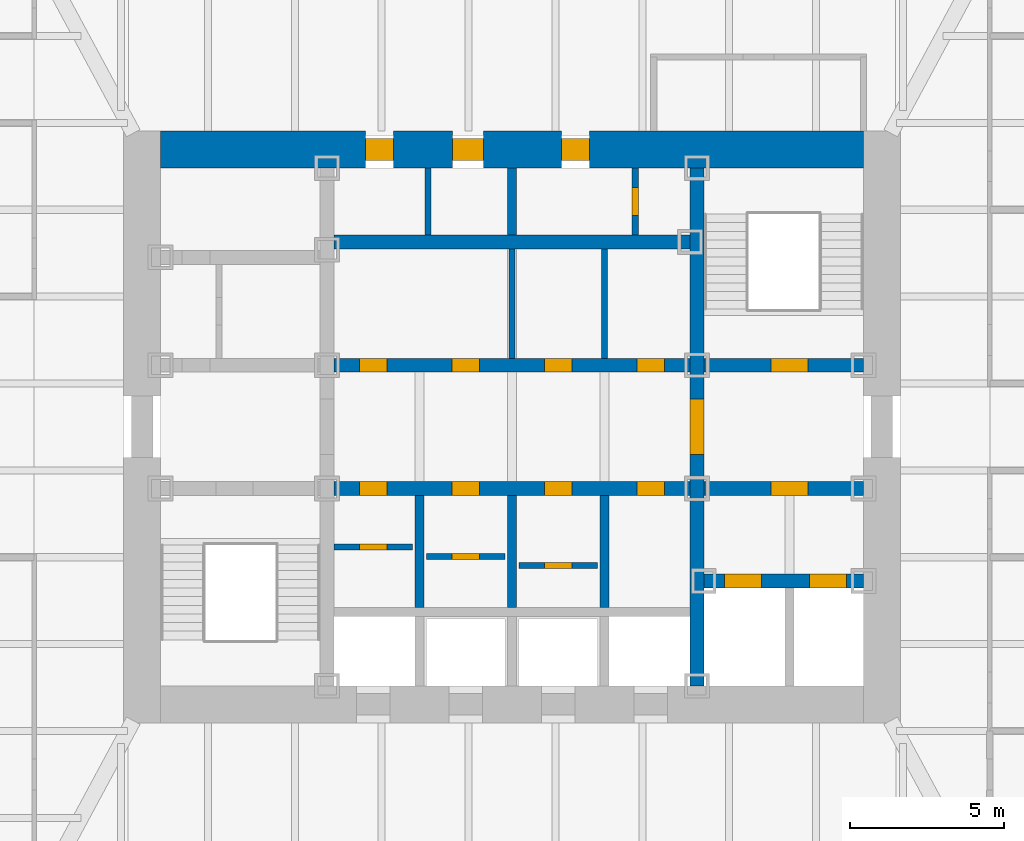
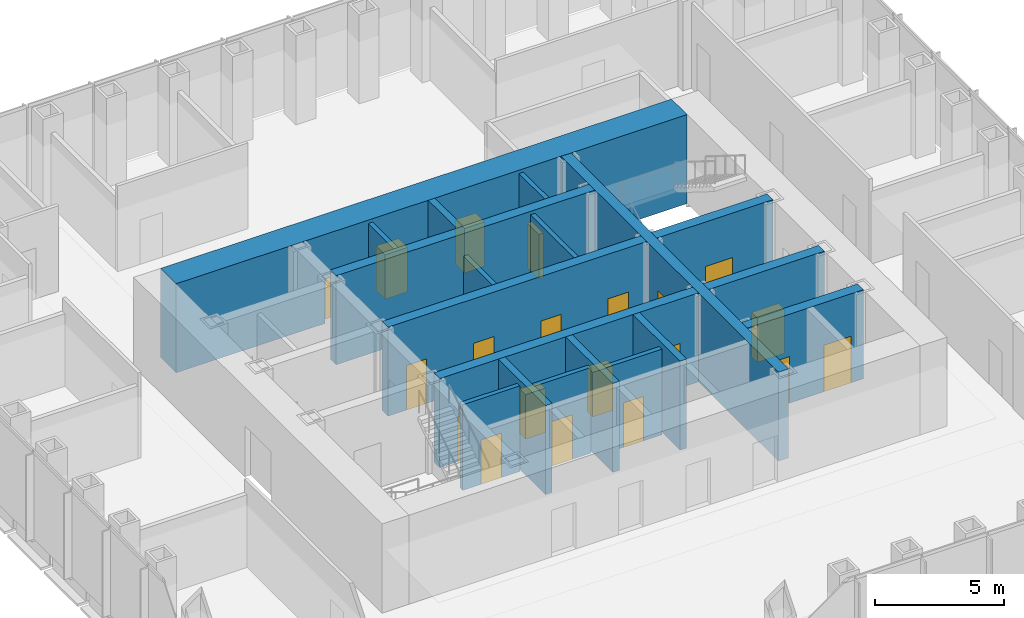
# One storey, part 9 of 16: 20 doors, 19 walls, 20 openings.
"""IFC4 building model written with IfcOpenShell, lengths in metres."""

from ifc_helpers import new_model, si_unit, direction, frame, frame_2d, origin, place, context, subcontext, project, spatial, rectangle, extrude, material, layer, layer_set, type_object, element, fill, save


model = new_model("IFC4")

# Units and contexts
model_context = context("Model", 3, precision=1e-05, world=origin(), true_north=direction((0.0, 1.0)))
body_context = subcontext(model_context, "Body", "Model", "MODEL_VIEW")
ifc_project = project(units=[si_unit("LENGTHUNIT", "METRE"), si_unit("AREAUNIT", "SQUARE_METRE"), si_unit("VOLUMEUNIT", "CUBIC_METRE"), si_unit("PLANEANGLEUNIT", "RADIAN"), si_unit("MASSUNIT", "GRAM", prefix="KILO")], contexts=[model_context])

# Site, building, storey
site_placement = place(None, origin())
site = spatial("IfcSite", under=ifc_project, at=site_placement, CompositionType="ELEMENT")
building_placement = place(site_placement, origin())
building = spatial("IfcBuilding", under=site, at=building_placement, Name="Daluyong Arena Tower", CompositionType="ELEMENT")
storey_placement = place(building_placement, frame((0.0, 0.0, 206.5)))
storey = spatial("IfcBuildingStorey", under=building, at=storey_placement, Name="L46", CompositionType="ELEMENT", Elevation=206.5)

# Wall, opening, door
ifc_material_1 = material(Name="Concrete fc' 45 MPa", Category="concrete")
ifc_layer_1 = layer(ifc_material_1, 0.449951171875)
ifc_layer_set_1 = layer_set([ifc_layer_1], Name="Concrete fc' 45 MPa")
wall_type_1 = type_object("IfcWallType", Name="Core inner wall 450", PredefinedType="SHEAR", material=ifc_layer_set_1)
wall_1_placement = place(storey_placement, frame((62.0, 71.60009765625, 0.0), z_axis=(0.0, 0.0, 1.0), x_axis=(0.0, 1.0, 0.0)))
wall_1 = element("IfcWall", 1, at=wall_1_placement, inside=storey, type_object=wall_type_1, Name="core inner wall at L46", PredefinedType="SHEAR", context=body_context, shape_type="SweptSolid", body=[
    extrude(rectangle(XDim=16.7998046875, YDim=0.449951171875, at=frame_2d((8.39990234375, 0.0))), origin(), (0.0, 0.0, 1.0), 4.199951171875),
])
opening_1_placement = place(wall_1_placement, frame((7.5, 0.0, 0.0)))
opening_1 = element("IfcOpeningElement", 2, at=opening_1_placement, cuts=wall_1, Name="Opening 46024", PredefinedType="OPENING", context=body_context, shape_type="SweptSolid", body=[
    extrude(rectangle(XDim=1.800048828125, YDim=2.39990234375, at=frame_2d((0.89990234375, 1.199951171875))), frame((0.0, 0.23486328125, 0.0), z_axis=(0.0, -1.0, 0.0), x_axis=(1.0, 0.0, 0.0)), (0.0, 0.0, 1.0), 0.469970703125),
])
ifc_material_2 = material(Name="Steel door, fire rated", Category="steel")
door_type_1 = type_object("IfcDoorType", Name="Lift lobby opening door 1800", OperationType="DOUBLE_DOOR_SINGLE_SWING", PredefinedType="DOOR", material=ifc_material_2)
door_1_placement = place(opening_1_placement, origin())
door_1 = element("IfcDoor", 3, at=door_1_placement, inside=storey, type_object=door_type_1, Name="lift lobby door east 46024", OperationType="DOUBLE_DOOR_SINGLE_SWING", OverallHeight=2.39990234375, OverallWidth=1.800048828125, PredefinedType="DOOR", context=body_context, shape_type="SweptSolid", body=[
    extrude(rectangle(XDim=1.800048828125, YDim=2.39990234375, at=frame_2d((0.89990234375, 1.199951171875))), frame((0.0, 0.224609375, 0.0), z_axis=(0.0, -1.0, 0.0), x_axis=(1.0, 0.0, 0.0)), (0.0, 0.0, 1.0), 0.449462890625),
])
fill(opening_1, door_1)

# Wall, openings, doors
wall_2_placement = place(storey_placement, frame((62.22509765625, 75.0, 0.0), z_axis=(0.0, 0.0, 1.0), x_axis=(1.0, 0.0, 0.0)))
wall_2 = element("IfcWall", 4, at=wall_2_placement, inside=storey, type_object=wall_type_1, Name="core inner wall at L46", PredefinedType="SHEAR", context=body_context, shape_type="SweptSolid", body=[
    extrude(rectangle(XDim=5.1748046875, YDim=0.449951171875, at=frame_2d((2.58740234375, 0.0))), origin(), (0.0, 0.0, 1.0), 4.199951171875),
])
opening_2_placement = place(wall_2_placement, frame((0.675048828125, 0.0, 0.0)))
opening_2 = element("IfcOpeningElement", 5, at=opening_2_placement, cuts=wall_2, Name="Opening 46030", PredefinedType="OPENING", context=body_context, shape_type="SweptSolid", body=[
    extrude(rectangle(XDim=1.199951171875, YDim=2.199951171875, at=frame_2d((0.60009765625, 1.10009765625))), frame((0.0, 0.23486328125, 0.0), z_axis=(0.0, -1.0, 0.0), x_axis=(1.0, 0.0, 0.0)), (0.0, 0.0, 1.0), 0.469970703125),
])
opening_3_placement = place(wall_2_placement, frame((3.425048828125, 0.0, 0.0)))
opening_3 = element("IfcOpeningElement", 6, at=opening_3_placement, cuts=wall_2, Name="Opening 46031", PredefinedType="OPENING", context=body_context, shape_type="SweptSolid", body=[
    extrude(rectangle(XDim=1.199951171875, YDim=2.199951171875, at=frame_2d((0.60009765625, 1.10009765625))), frame((0.0, 0.23486328125, 0.0), z_axis=(0.0, -1.0, 0.0), x_axis=(1.0, 0.0, 0.0)), (0.0, 0.0, 1.0), 0.469970703125),
])
ifc_material_3 = material(Name="Steel door, fire rated", Category="steel")
door_type_2 = type_object("IfcDoorType", Name="Firefighting lift landing door 1200", OperationType="SLIDING_TO_LEFT", PredefinedType="DOOR", material=ifc_material_3)
door_2_placement = place(opening_2_placement, origin())
door_2 = element("IfcDoor", 7, at=door_2_placement, inside=storey, type_object=door_type_2, Name="firefighting lift landing door F1 46030", OperationType="SLIDING_TO_LEFT", OverallHeight=2.199951171875, OverallWidth=1.199951171875, PredefinedType="DOOR", context=body_context, shape_type="SweptSolid", body=[
    extrude(rectangle(XDim=1.199951171875, YDim=2.199951171875, at=frame_2d((0.60009765625, 1.10009765625))), frame((0.0, 0.224609375, 0.0), z_axis=(0.0, -1.0, 0.0), x_axis=(1.0, 0.0, 0.0)), (0.0, 0.0, 1.0), 0.449462890625),
])
fill(opening_2, door_2)
door_3_placement = place(opening_3_placement, origin())
door_3 = element("IfcDoor", 8, at=door_3_placement, inside=storey, type_object=door_type_2, Name="firefighting lift landing door F2 46031", OperationType="SLIDING_TO_LEFT", OverallHeight=2.199951171875, OverallWidth=1.199951171875, PredefinedType="DOOR", context=body_context, shape_type="SweptSolid", body=[
    extrude(rectangle(XDim=1.199951171875, YDim=2.199951171875, at=frame_2d((0.60009765625, 1.10009765625))), frame((0.0, 0.224609375, 0.0), z_axis=(0.0, -1.0, 0.0), x_axis=(1.0, 0.0, 0.0)), (0.0, 0.0, 1.0), 0.449462890625),
])
fill(opening_3, door_3)

# Wall, opening, door
wall_3_placement = place(storey_placement, frame((62.22509765625, 78.0, 0.0), z_axis=(0.0, 0.0, 1.0), x_axis=(1.0, 0.0, 0.0)))
wall_3 = element("IfcWall", 9, at=wall_3_placement, inside=storey, type_object=wall_type_1, Name="core inner wall at L46", PredefinedType="SHEAR", context=body_context, shape_type="SweptSolid", body=[
    extrude(rectangle(XDim=5.1748046875, YDim=0.449951171875, at=frame_2d((2.58740234375, 0.0))), origin(), (0.0, 0.0, 1.0), 4.199951171875),
])
opening_4_placement = place(wall_3_placement, frame((2.175048828125, 0.0, 0.0)))
opening_4 = element("IfcOpeningElement", 10, at=opening_4_placement, cuts=wall_3, Name="Opening 46025", PredefinedType="OPENING", context=body_context, shape_type="SweptSolid", body=[
    extrude(rectangle(XDim=1.199951171875, YDim=2.10009765625, at=frame_2d((0.60009765625, 1.050048828125))), frame((0.0, 0.23486328125, 0.0), z_axis=(0.0, -1.0, 0.0), x_axis=(1.0, 0.0, 0.0)), (0.0, 0.0, 1.0), 0.469970703125),
])
ifc_material_4 = material(Name="Steel door, fire rated", Category="steel")
door_type_3 = type_object("IfcDoorType", Name="Firefighting lobby door 1200", OperationType="SINGLE_SWING_RIGHT", PredefinedType="DOOR", material=ifc_material_4)
door_4_placement = place(opening_4_placement, origin())
door_4 = element("IfcDoor", 11, at=door_4_placement, inside=storey, type_object=door_type_3, Name="firefighting lobby door 46025", OperationType="SINGLE_SWING_RIGHT", OverallHeight=2.10009765625, OverallWidth=1.199951171875, PredefinedType="DOOR", context=body_context, shape_type="SweptSolid", body=[
    extrude(rectangle(XDim=1.199951171875, YDim=2.10009765625, at=frame_2d((0.60009765625, 1.050048828125))), frame((0.0, 0.224609375, 0.0), z_axis=(0.0, -1.0, 0.0), x_axis=(1.0, 0.0, 0.0)), (0.0, 0.0, 1.0), 0.449462890625),
])
fill(opening_4, door_4)

wall_4_placement = place(storey_placement, frame((62.22509765625, 82.0, 0.0), z_axis=(0.0, 0.0, 1.0), x_axis=(1.0, 0.0, 0.0)))
wall_4 = element("IfcWall", 12, at=wall_4_placement, inside=storey, type_object=wall_type_1, Name="core inner wall at L46", PredefinedType="SHEAR", context=body_context, shape_type="SweptSolid", body=[
    extrude(rectangle(XDim=5.1748046875, YDim=0.449951171875, at=frame_2d((2.58740234375, 0.0))), origin(), (0.0, 0.0, 1.0), 4.199951171875),
])
opening_5_placement = place(wall_4_placement, frame((2.175048828125, 0.0, 0.0)))
opening_5 = element("IfcOpeningElement", 13, at=opening_5_placement, cuts=wall_4, Name="Opening 46020", PredefinedType="OPENING", context=body_context, shape_type="SweptSolid", body=[
    extrude(rectangle(XDim=1.199951171875, YDim=2.10009765625, at=frame_2d((0.60009765625, 1.050048828125))), frame((0.0, 0.23486328125, 0.0), z_axis=(0.0, -1.0, 0.0), x_axis=(1.0, 0.0, 0.0)), (0.0, 0.0, 1.0), 0.469970703125),
])
ifc_material_5 = material(Name="Steel door, fire rated", Category="steel")
door_type_4 = type_object("IfcDoorType", Name="Stair door 1200", OperationType="SINGLE_SWING_LEFT", PredefinedType="DOOR", material=ifc_material_5)
door_5_placement = place(opening_5_placement, origin())
door_5 = element("IfcDoor", 14, at=door_5_placement, inside=storey, type_object=door_type_4, Name="stair B door 46020", OperationType="SINGLE_SWING_LEFT", OverallHeight=2.10009765625, OverallWidth=1.199951171875, PredefinedType="DOOR", context=body_context, shape_type="SweptSolid", body=[
    extrude(rectangle(XDim=1.199951171875, YDim=2.10009765625, at=frame_2d((0.60009765625, 1.050048828125))), frame((0.0, 0.224609375, 0.0), z_axis=(0.0, -1.0, 0.0), x_axis=(1.0, 0.0, 0.0)), (0.0, 0.0, 1.0), 0.449462890625),
])
fill(opening_5, door_5)

# Wall, openings, doors
wall_5_placement = place(storey_placement, frame((50.22509765625, 78.0, 0.0), z_axis=(0.0, 0.0, 1.0), x_axis=(1.0, 0.0, 0.0)))
wall_5 = element("IfcWall", 15, at=wall_5_placement, inside=storey, type_object=wall_type_1, Name="core inner wall at L46", PredefinedType="SHEAR", context=body_context, shape_type="SweptSolid", body=[
    extrude(rectangle(XDim=11.5498046875, YDim=0.449951171875, at=frame_2d((5.77490234375, 0.0))), origin(), (0.0, 0.0, 1.0), 4.199951171875),
])
opening_6_placement = place(wall_5_placement, frame((0.824951171875, 0.0, 0.0)))
opening_6 = element("IfcOpeningElement", 16, at=opening_6_placement, cuts=wall_5, Name="Opening 46008", PredefinedType="OPENING", context=body_context, shape_type="SweptSolid", body=[
    extrude(rectangle(XDim=0.89990234375, YDim=2.10009765625, at=frame_2d((0.449951171875, 1.050048828125))), frame((0.0, 0.23486328125, 0.0), z_axis=(0.0, -1.0, 0.0), x_axis=(1.0, 0.0, 0.0)), (0.0, 0.0, 1.0), 0.469970703125),
])
opening_7_placement = place(wall_5_placement, frame((3.824951171875, 0.0, 0.0)))
opening_7 = element("IfcOpeningElement", 17, at=opening_7_placement, cuts=wall_5, Name="Opening 46010", PredefinedType="OPENING", context=body_context, shape_type="SweptSolid", body=[
    extrude(rectangle(XDim=0.89990234375, YDim=2.10009765625, at=frame_2d((0.449951171875, 1.050048828125))), frame((0.0, 0.23486328125, 0.0), z_axis=(0.0, -1.0, 0.0), x_axis=(1.0, 0.0, 0.0)), (0.0, 0.0, 1.0), 0.469970703125),
])
opening_8_placement = place(wall_5_placement, frame((6.824951171875, 0.0, 0.0)))
opening_8 = element("IfcOpeningElement", 18, at=opening_8_placement, cuts=wall_5, Name="Opening 46012", PredefinedType="OPENING", context=body_context, shape_type="SweptSolid", body=[
    extrude(rectangle(XDim=0.89990234375, YDim=2.10009765625, at=frame_2d((0.449951171875, 1.050048828125))), frame((0.0, 0.23486328125, 0.0), z_axis=(0.0, -1.0, 0.0), x_axis=(1.0, 0.0, 0.0)), (0.0, 0.0, 1.0), 0.469970703125),
])
opening_9_placement = place(wall_5_placement, frame((9.824951171875, 0.0, 0.0)))
opening_9 = element("IfcOpeningElement", 19, at=opening_9_placement, cuts=wall_5, Name="Opening 46014", PredefinedType="OPENING", context=body_context, shape_type="SweptSolid", body=[
    extrude(rectangle(XDim=0.89990234375, YDim=2.10009765625, at=frame_2d((0.449951171875, 1.050048828125))), frame((0.0, 0.23486328125, 0.0), z_axis=(0.0, -1.0, 0.0), x_axis=(1.0, 0.0, 0.0)), (0.0, 0.0, 1.0), 0.469970703125),
])
ifc_material_6 = material(Name="Steel door, fire rated", Category="steel")
door_type_5 = type_object("IfcDoorType", Name="Core room door 900", OperationType="SINGLE_SWING_LEFT", PredefinedType="DOOR", material=ifc_material_6)
door_6_placement = place(opening_9_placement, origin())
door_6 = element("IfcDoor", 20, at=door_6_placement, inside=storey, type_object=door_type_5, Name="parcel room door 46014", OperationType="SINGLE_SWING_LEFT", OverallHeight=2.10009765625, OverallWidth=0.89990234375, PredefinedType="DOOR", context=body_context, shape_type="SweptSolid", body=[
    extrude(rectangle(XDim=0.89990234375, YDim=2.10009765625, at=frame_2d((0.449951171875, 1.050048828125))), frame((0.0, 0.224609375, 0.0), z_axis=(0.0, -1.0, 0.0), x_axis=(1.0, 0.0, 0.0)), (0.0, 0.0, 1.0), 0.449462890625),
])
fill(opening_9, door_6)
ifc_material_7 = material(Name="Steel door, fire rated", Category="steel")
door_type_6 = type_object("IfcDoorType", Name="Core store door 900", OperationType="SINGLE_SWING_LEFT", PredefinedType="DOOR", material=ifc_material_7)
door_7_placement = place(opening_6_placement, origin())
door_7 = element("IfcDoor", 21, at=door_7_placement, inside=storey, type_object=door_type_6, Name="stationery store door 46008", OperationType="SINGLE_SWING_LEFT", OverallHeight=2.10009765625, OverallWidth=0.89990234375, PredefinedType="DOOR", context=body_context, shape_type="SweptSolid", body=[
    extrude(rectangle(XDim=0.89990234375, YDim=2.10009765625, at=frame_2d((0.449951171875, 1.050048828125))), frame((0.0, 0.224609375, 0.0), z_axis=(0.0, -1.0, 0.0), x_axis=(1.0, 0.0, 0.0)), (0.0, 0.0, 1.0), 0.449462890625),
])
fill(opening_6, door_7)
door_8_placement = place(opening_7_placement, origin())
door_8 = element("IfcDoor", 22, at=door_8_placement, inside=storey, type_object=door_type_6, Name="tenant store door 46010", OperationType="SINGLE_SWING_LEFT", OverallHeight=2.10009765625, OverallWidth=0.89990234375, PredefinedType="DOOR", context=body_context, shape_type="SweptSolid", body=[
    extrude(rectangle(XDim=0.89990234375, YDim=2.10009765625, at=frame_2d((0.449951171875, 1.050048828125))), frame((0.0, 0.224609375, 0.0), z_axis=(0.0, -1.0, 0.0), x_axis=(1.0, 0.0, 0.0)), (0.0, 0.0, 1.0), 0.449462890625),
])
fill(opening_7, door_8)
door_9_placement = place(opening_8_placement, origin())
door_9 = element("IfcDoor", 23, at=door_9_placement, inside=storey, type_object=door_type_6, Name="cleaner's store door 46012", OperationType="SINGLE_SWING_LEFT", OverallHeight=2.10009765625, OverallWidth=0.89990234375, PredefinedType="DOOR", context=body_context, shape_type="SweptSolid", body=[
    extrude(rectangle(XDim=0.89990234375, YDim=2.10009765625, at=frame_2d((0.449951171875, 1.050048828125))), frame((0.0, 0.224609375, 0.0), z_axis=(0.0, -1.0, 0.0), x_axis=(1.0, 0.0, 0.0)), (0.0, 0.0, 1.0), 0.449462890625),
])
fill(opening_8, door_9)

wall_6_placement = place(storey_placement, frame((50.22509765625, 82.0, 0.0), z_axis=(0.0, 0.0, 1.0), x_axis=(1.0, 0.0, 0.0)))
wall_6 = element("IfcWall", 24, at=wall_6_placement, inside=storey, type_object=wall_type_1, Name="core inner wall at L46", PredefinedType="SHEAR", context=body_context, shape_type="SweptSolid", body=[
    extrude(rectangle(XDim=11.5498046875, YDim=0.449951171875, at=frame_2d((5.77490234375, 0.0))), origin(), (0.0, 0.0, 1.0), 4.199951171875),
])
opening_10_placement = place(wall_6_placement, frame((0.824951171875, 0.0, 0.0)))
opening_10 = element("IfcOpeningElement", 25, at=opening_10_placement, cuts=wall_6, Name="Opening 46015", PredefinedType="OPENING", context=body_context, shape_type="SweptSolid", body=[
    extrude(rectangle(XDim=0.89990234375, YDim=2.10009765625, at=frame_2d((0.449951171875, 1.050048828125))), frame((0.0, 0.23486328125, 0.0), z_axis=(0.0, -1.0, 0.0), x_axis=(1.0, 0.0, 0.0)), (0.0, 0.0, 1.0), 0.469970703125),
])
opening_11_placement = place(wall_6_placement, frame((3.824951171875, 0.0, 0.0)))
opening_11 = element("IfcOpeningElement", 26, at=opening_11_placement, cuts=wall_6, Name="Opening 46016", PredefinedType="OPENING", context=body_context, shape_type="SweptSolid", body=[
    extrude(rectangle(XDim=0.89990234375, YDim=2.10009765625, at=frame_2d((0.449951171875, 1.050048828125))), frame((0.0, 0.23486328125, 0.0), z_axis=(0.0, -1.0, 0.0), x_axis=(1.0, 0.0, 0.0)), (0.0, 0.0, 1.0), 0.469970703125),
])
opening_12_placement = place(wall_6_placement, frame((6.824951171875, 0.0, 0.0)))
opening_12 = element("IfcOpeningElement", 27, at=opening_12_placement, cuts=wall_6, Name="Opening 46017", PredefinedType="OPENING", context=body_context, shape_type="SweptSolid", body=[
    extrude(rectangle(XDim=0.89990234375, YDim=2.10009765625, at=frame_2d((0.449951171875, 1.050048828125))), frame((0.0, 0.23486328125, 0.0), z_axis=(0.0, -1.0, 0.0), x_axis=(1.0, 0.0, 0.0)), (0.0, 0.0, 1.0), 0.469970703125),
])
opening_13_placement = place(wall_6_placement, frame((9.824951171875, 0.0, 0.0)))
opening_13 = element("IfcOpeningElement", 28, at=opening_13_placement, cuts=wall_6, Name="Opening 46018", PredefinedType="OPENING", context=body_context, shape_type="SweptSolid", body=[
    extrude(rectangle(XDim=0.89990234375, YDim=2.10009765625, at=frame_2d((0.449951171875, 1.050048828125))), frame((0.0, 0.23486328125, 0.0), z_axis=(0.0, -1.0, 0.0), x_axis=(1.0, 0.0, 0.0)), (0.0, 0.0, 1.0), 0.469970703125),
])
door_10_placement = place(opening_10_placement, origin())
door_10 = element("IfcDoor", 29, at=door_10_placement, inside=storey, type_object=door_type_5, Name="mail room door 46015", OperationType="SINGLE_SWING_LEFT", OverallHeight=2.10009765625, OverallWidth=0.89990234375, PredefinedType="DOOR", context=body_context, shape_type="SweptSolid", body=[
    extrude(rectangle(XDim=0.89990234375, YDim=2.10009765625, at=frame_2d((0.449951171875, 1.050048828125))), frame((0.0, 0.224609375, 0.0), z_axis=(0.0, -1.0, 0.0), x_axis=(1.0, 0.0, 0.0)), (0.0, 0.0, 1.0), 0.449462890625),
])
fill(opening_10, door_10)
door_11_placement = place(opening_11_placement, origin())
door_11 = element("IfcDoor", 30, at=door_11_placement, inside=storey, type_object=door_type_5, Name="mail room door 46016", OperationType="SINGLE_SWING_LEFT", OverallHeight=2.10009765625, OverallWidth=0.89990234375, PredefinedType="DOOR", context=body_context, shape_type="SweptSolid", body=[
    extrude(rectangle(XDim=0.89990234375, YDim=2.10009765625, at=frame_2d((0.449951171875, 1.050048828125))), frame((0.0, 0.224609375, 0.0), z_axis=(0.0, -1.0, 0.0), x_axis=(1.0, 0.0, 0.0)), (0.0, 0.0, 1.0), 0.449462890625),
])
fill(opening_11, door_11)
door_12_placement = place(opening_12_placement, origin())
door_12 = element("IfcDoor", 31, at=door_12_placement, inside=storey, type_object=door_type_5, Name="print room door 46017", OperationType="SINGLE_SWING_LEFT", OverallHeight=2.10009765625, OverallWidth=0.89990234375, PredefinedType="DOOR", context=body_context, shape_type="SweptSolid", body=[
    extrude(rectangle(XDim=0.89990234375, YDim=2.10009765625, at=frame_2d((0.449951171875, 1.050048828125))), frame((0.0, 0.224609375, 0.0), z_axis=(0.0, -1.0, 0.0), x_axis=(1.0, 0.0, 0.0)), (0.0, 0.0, 1.0), 0.449462890625),
])
fill(opening_12, door_12)
door_13_placement = place(opening_13_placement, origin())
door_13 = element("IfcDoor", 32, at=door_13_placement, inside=storey, type_object=door_type_5, Name="staff pantry door 46018", OperationType="SINGLE_SWING_LEFT", OverallHeight=2.10009765625, OverallWidth=0.89990234375, PredefinedType="DOOR", context=body_context, shape_type="SweptSolid", body=[
    extrude(rectangle(XDim=0.89990234375, YDim=2.10009765625, at=frame_2d((0.449951171875, 1.050048828125))), frame((0.0, 0.224609375, 0.0), z_axis=(0.0, -1.0, 0.0), x_axis=(1.0, 0.0, 0.0)), (0.0, 0.0, 1.0), 0.449462890625),
])
fill(opening_13, door_13)

# Wall
wall_7_placement = place(storey_placement, frame((50.22509765625, 86.0, 0.0), z_axis=(0.0, 0.0, 1.0), x_axis=(1.0, 0.0, 0.0)))
element("IfcWall", 33, at=wall_7_placement, inside=storey, type_object=wall_type_1, Name="core inner wall at L46", PredefinedType="SHEAR", context=body_context, shape_type="SweptSolid", body=[
    extrude(rectangle(XDim=11.5498046875, YDim=0.449951171875, at=frame_2d((5.77490234375, 0.0))), origin(), (0.0, 0.0, 1.0), 4.199951171875),
])

# Wall, openings, doors
ifc_material_8 = material(Name="Concrete fc' 60 MPa", Category="concrete")
ifc_layer_2 = layer(ifc_material_8, 1.199951171875)
ifc_layer_set_2 = layer_set([ifc_layer_2], Name="Concrete fc' 60 MPa")
wall_type_2 = type_object("IfcWallType", Name="Core wall 1200", PredefinedType="SHEAR", material=ifc_layer_set_2)
wall_8_placement = place(storey_placement, frame((44.60009765625, 89.0, 0.0), z_axis=(0.0, 0.0, 1.0), x_axis=(1.0, 0.0, 0.0)))
wall_8 = element("IfcWall", 34, at=wall_8_placement, inside=storey, type_object=wall_type_2, Name="core wall at L46", PredefinedType="SHEAR", context=body_context, shape_type="SweptSolid", body=[
    extrude(rectangle(XDim=22.7998046875, YDim=1.199951171875, at=frame_2d((11.39990234375, 0.0))), origin(), (0.0, 0.0, 1.0), 4.199951171875),
])
opening_14_placement = place(wall_8_placement, frame((9.47509765625, 0.0, 0.0)))
opening_14 = element("IfcOpeningElement", 35, at=opening_14_placement, cuts=wall_8, Name="Opening 46004", PredefinedType="OPENING", context=body_context, shape_type="SweptSolid", body=[
    extrude(rectangle(XDim=1.0, YDim=2.10009765625, at=frame_2d((0.5, 1.050048828125))), frame((0.0, 0.60986328125, 0.0), z_axis=(0.0, -1.0, 0.0), x_axis=(1.0, 0.0, 0.0)), (0.0, 0.0, 1.0), 1.219970703125),
])
opening_15_placement = place(wall_8_placement, frame((6.64990234375, 0.0, 0.0)))
opening_15 = element("IfcOpeningElement", 36, at=opening_15_placement, cuts=wall_8, Name="Opening 46005", PredefinedType="OPENING", context=body_context, shape_type="SweptSolid", body=[
    extrude(rectangle(XDim=0.89990234375, YDim=2.10009765625, at=frame_2d((0.449951171875, 1.050048828125))), frame((0.0, 0.60986328125, 0.0), z_axis=(0.0, -1.0, 0.0), x_axis=(1.0, 0.0, 0.0)), (0.0, 0.0, 1.0), 1.219970703125),
])
opening_16_placement = place(wall_8_placement, frame((13.012451171875, 0.0, 0.0)))
opening_16 = element("IfcOpeningElement", 37, at=opening_16_placement, cuts=wall_8, Name="Opening 46006", PredefinedType="OPENING", context=body_context, shape_type="SweptSolid", body=[
    extrude(rectangle(XDim=0.89990234375, YDim=2.10009765625, at=frame_2d((0.449951171875, 1.050048828125))), frame((0.0, 0.60986328125, 0.0), z_axis=(0.0, -1.0, 0.0), x_axis=(1.0, 0.0, 0.0)), (0.0, 0.0, 1.0), 1.219970703125),
])
ifc_material_9 = material(Name="Timber door", Category="wood")
door_type_7 = type_object("IfcDoorType", Name="Accessible toilet door 1000", OperationType="SINGLE_SWING_LEFT", PredefinedType="DOOR", material=ifc_material_9)
door_14_placement = place(opening_14_placement, origin())
door_14 = element("IfcDoor", 38, at=door_14_placement, inside=storey, type_object=door_type_7, Name="accessible toilet door 46004", OperationType="SINGLE_SWING_LEFT", OverallHeight=2.10009765625, OverallWidth=1.0, PredefinedType="DOOR", context=body_context, shape_type="SweptSolid", body=[
    extrude(rectangle(XDim=1.0, YDim=2.10009765625, at=frame_2d((0.5, 1.050048828125))), frame((0.0, 0.35009765625, 0.0), z_axis=(0.0, -1.0, 0.0), x_axis=(1.0, 0.0, 0.0)), (0.0, 0.0, 1.0), 0.699951171875),
])
fill(opening_14, door_14)
door_15_placement = place(opening_15_placement, origin())
door_15 = element("IfcDoor", 39, at=door_15_placement, inside=storey, type_object=door_type_6, Name="security store door 46005", OperationType="SINGLE_SWING_LEFT", OverallHeight=2.10009765625, OverallWidth=0.89990234375, PredefinedType="DOOR", context=body_context, shape_type="SweptSolid", body=[
    extrude(rectangle(XDim=0.89990234375, YDim=2.10009765625, at=frame_2d((0.449951171875, 1.050048828125))), frame((0.0, 0.35009765625, 0.0), z_axis=(0.0, -1.0, 0.0), x_axis=(1.0, 0.0, 0.0)), (0.0, 0.0, 1.0), 0.699951171875),
])
fill(opening_15, door_15)
ifc_material_10 = material(Name="Steel door, fire rated", Category="steel")
door_type_8 = type_object("IfcDoorType", Name="Plant room door 900", OperationType="SINGLE_SWING_LEFT", PredefinedType="DOOR", material=ifc_material_10)
door_16_placement = place(opening_16_placement, origin())
door_16 = element("IfcDoor", 40, at=door_16_placement, inside=storey, type_object=door_type_8, Name="comms room door 46006", OperationType="SINGLE_SWING_LEFT", OverallHeight=2.10009765625, OverallWidth=0.89990234375, PredefinedType="DOOR", context=body_context, shape_type="SweptSolid", body=[
    extrude(rectangle(XDim=0.89990234375, YDim=2.10009765625, at=frame_2d((0.449951171875, 1.050048828125))), frame((0.0, 0.35009765625, 0.0), z_axis=(0.0, -1.0, 0.0), x_axis=(1.0, 0.0, 0.0)), (0.0, 0.0, 1.0), 0.699951171875),
])
fill(opening_16, door_16)

# Wall
ifc_material_11 = material(Name="Concrete block partition, fire rated", Category="concrete")
ifc_layer_3 = layer(ifc_material_11, 0.199951171875)
ifc_layer_set_3 = layer_set([ifc_layer_3], Name="Concrete block partition, fire rated")
wall_type_3 = type_object("IfcWallType", Name="Fire-rated partition 200", PredefinedType="PARTITIONING", material=ifc_layer_set_3)
wall_9_placement = place(storey_placement, frame((53.27490234375, 86.22509765625, 0.0), z_axis=(0.0, 0.0, 1.0), x_axis=(0.0, 1.0, 0.0)))
element("IfcWall", 41, at=wall_9_placement, inside=storey, type_object=wall_type_3, Name="core room partition at L46", PredefinedType="PARTITIONING", context=body_context, shape_type="SweptSolid", body=[
    extrude(rectangle(XDim=2.1748046875, YDim=0.199951171875, at=frame_2d((1.08740234375, 0.0))), origin(), (0.0, 0.0, 1.0), 4.0400390625),
])

# Wall, opening, door
wall_10_placement = place(storey_placement, frame((60.0, 86.22509765625, 0.0), z_axis=(0.0, 0.0, 1.0), x_axis=(0.0, 1.0, 0.0)))
wall_10 = element("IfcWall", 42, at=wall_10_placement, inside=storey, type_object=wall_type_3, Name="electrical riser enclosure at L46", PredefinedType="PARTITIONING", context=body_context, shape_type="SweptSolid", body=[
    extrude(rectangle(XDim=2.1748046875, YDim=0.199951171875, at=frame_2d((1.08740234375, 0.0))), origin(), (0.0, 0.0, 1.0), 4.0400390625),
])
opening_17_placement = place(wall_10_placement, frame((0.637451171875, 0.0, 0.0)))
opening_17 = element("IfcOpeningElement", 43, at=opening_17_placement, cuts=wall_10, Name="Opening 46007", PredefinedType="OPENING", context=body_context, shape_type="SweptSolid", body=[
    extrude(rectangle(XDim=0.89990234375, YDim=2.10009765625, at=frame_2d((0.449951171875, 1.050048828125))), frame((0.0, 0.10986328125, 0.0), z_axis=(0.0, -1.0, 0.0), x_axis=(1.0, 0.0, 0.0)), (0.0, 0.0, 1.0), 0.219970703125),
])
ifc_material_12 = material(Name="Steel door, fire rated", Category="steel")
door_type_9 = type_object("IfcDoorType", Name="Riser door 900", OperationType="SINGLE_SWING_LEFT", PredefinedType="DOOR", material=ifc_material_12)
door_17_placement = place(opening_17_placement, origin())
door_17 = element("IfcDoor", 44, at=door_17_placement, inside=storey, type_object=door_type_9, Name="riser door 46007", OperationType="SINGLE_SWING_LEFT", OverallHeight=2.10009765625, OverallWidth=0.89990234375, PredefinedType="DOOR", context=body_context, shape_type="SweptSolid", body=[
    extrude(rectangle(XDim=0.89990234375, YDim=2.10009765625, at=frame_2d((0.449951171875, 1.050048828125))), frame((0.0, 0.099609375, 0.0), z_axis=(0.0, -1.0, 0.0), x_axis=(1.0, 0.0, 0.0)), (0.0, 0.0, 1.0), 0.199462890625),
])
fill(opening_17, door_17)

wall_11_placement = place(storey_placement, frame((50.22509765625, 76.10009765625, 0.0), z_axis=(0.0, 0.0, 1.0), x_axis=(1.0, 0.0, 0.0)))
wall_11 = element("IfcWall", 45, at=wall_11_placement, inside=storey, type_object=wall_type_3, Name="back store partition at L46", PredefinedType="PARTITIONING", context=body_context, shape_type="SweptSolid", body=[
    extrude(rectangle(XDim=2.5498046875, YDim=0.199951171875, at=frame_2d((1.27490234375, 0.0))), origin(), (0.0, 0.0, 1.0), 4.0400390625),
])
opening_18_placement = place(wall_11_placement, frame((0.824951171875, 0.0, 0.0)))
opening_18 = element("IfcOpeningElement", 46, at=opening_18_placement, cuts=wall_11, Name="Opening 46009", PredefinedType="OPENING", context=body_context, shape_type="SweptSolid", body=[
    extrude(rectangle(XDim=0.89990234375, YDim=2.10009765625, at=frame_2d((0.449951171875, 1.050048828125))), frame((0.0, 0.10986328125, 0.0), z_axis=(0.0, -1.0, 0.0), x_axis=(1.0, 0.0, 0.0)), (0.0, 0.0, 1.0), 0.219970703125),
])
door_18_placement = place(opening_18_placement, origin())
door_18 = element("IfcDoor", 47, at=door_18_placement, inside=storey, type_object=door_type_6, Name="facilities store door 46009", OperationType="SINGLE_SWING_LEFT", OverallHeight=2.10009765625, OverallWidth=0.89990234375, PredefinedType="DOOR", context=body_context, shape_type="SweptSolid", body=[
    extrude(rectangle(XDim=0.89990234375, YDim=2.10009765625, at=frame_2d((0.449951171875, 1.050048828125))), frame((0.0, 0.099609375, 0.0), z_axis=(0.0, -1.0, 0.0), x_axis=(1.0, 0.0, 0.0)), (0.0, 0.0, 1.0), 0.199462890625),
])
fill(opening_18, door_18)

wall_12_placement = place(storey_placement, frame((53.22509765625, 75.800048828125, 0.0), z_axis=(0.0, 0.0, 1.0), x_axis=(1.0, 0.0, 0.0)))
wall_12 = element("IfcWall", 48, at=wall_12_placement, inside=storey, type_object=wall_type_3, Name="back store partition at L46", PredefinedType="PARTITIONING", context=body_context, shape_type="SweptSolid", body=[
    extrude(rectangle(XDim=2.5498046875, YDim=0.199951171875, at=frame_2d((1.27490234375, 0.0))), origin(), (0.0, 0.0, 1.0), 4.0400390625),
])
opening_19_placement = place(wall_12_placement, frame((0.824951171875, 0.0, 0.0)))
opening_19 = element("IfcOpeningElement", 49, at=opening_19_placement, cuts=wall_12, Name="Opening 46011", PredefinedType="OPENING", context=body_context, shape_type="SweptSolid", body=[
    extrude(rectangle(XDim=0.89990234375, YDim=2.10009765625, at=frame_2d((0.449951171875, 1.050048828125))), frame((0.0, 0.10986328125, 0.0), z_axis=(0.0, -1.0, 0.0), x_axis=(1.0, 0.0, 0.0)), (0.0, 0.0, 1.0), 0.219970703125),
])
door_19_placement = place(opening_19_placement, origin())
door_19 = element("IfcDoor", 50, at=door_19_placement, inside=storey, type_object=door_type_6, Name="furniture store door 46011", OperationType="SINGLE_SWING_LEFT", OverallHeight=2.10009765625, OverallWidth=0.89990234375, PredefinedType="DOOR", context=body_context, shape_type="SweptSolid", body=[
    extrude(rectangle(XDim=0.89990234375, YDim=2.10009765625, at=frame_2d((0.449951171875, 1.050048828125))), frame((0.0, 0.099609375, 0.0), z_axis=(0.0, -1.0, 0.0), x_axis=(1.0, 0.0, 0.0)), (0.0, 0.0, 1.0), 0.199462890625),
])
fill(opening_19, door_19)

wall_13_placement = place(storey_placement, frame((56.22509765625, 75.5, 0.0), z_axis=(0.0, 0.0, 1.0), x_axis=(1.0, 0.0, 0.0)))
wall_13 = element("IfcWall", 51, at=wall_13_placement, inside=storey, type_object=wall_type_3, Name="back store partition at L46", PredefinedType="PARTITIONING", context=body_context, shape_type="SweptSolid", body=[
    extrude(rectangle(XDim=2.5498046875, YDim=0.199951171875, at=frame_2d((1.27490234375, 0.0))), origin(), (0.0, 0.0, 1.0), 4.0400390625),
])
opening_20_placement = place(wall_13_placement, frame((0.824951171875, 0.0, 0.0)))
opening_20 = element("IfcOpeningElement", 52, at=opening_20_placement, cuts=wall_13, Name="Opening 46013", PredefinedType="OPENING", context=body_context, shape_type="SweptSolid", body=[
    extrude(rectangle(XDim=0.89990234375, YDim=2.10009765625, at=frame_2d((0.449951171875, 1.050048828125))), frame((0.0, 0.10986328125, 0.0), z_axis=(0.0, -1.0, 0.0), x_axis=(1.0, 0.0, 0.0)), (0.0, 0.0, 1.0), 0.219970703125),
])
door_20_placement = place(opening_20_placement, origin())
door_20 = element("IfcDoor", 53, at=door_20_placement, inside=storey, type_object=door_type_6, Name="archive store door 46013", OperationType="SINGLE_SWING_LEFT", OverallHeight=2.10009765625, OverallWidth=0.89990234375, PredefinedType="DOOR", context=body_context, shape_type="SweptSolid", body=[
    extrude(rectangle(XDim=0.89990234375, YDim=2.10009765625, at=frame_2d((0.449951171875, 1.050048828125))), frame((0.0, 0.099609375, 0.0), z_axis=(0.0, -1.0, 0.0), x_axis=(1.0, 0.0, 0.0)), (0.0, 0.0, 1.0), 0.199462890625),
])
fill(opening_20, door_20)

# Walls
wall_14_placement = place(storey_placement, frame((56.0, 82.22509765625, 0.0), z_axis=(0.0, 0.0, 1.0), x_axis=(0.0, 1.0, 0.0)))
element("IfcWall", 54, at=wall_14_placement, inside=storey, type_object=wall_type_3, Name="core room partition at L46", PredefinedType="PARTITIONING", context=body_context, shape_type="SweptSolid", body=[
    extrude(rectangle(XDim=3.5498046875, YDim=0.199951171875, at=frame_2d((1.77490234375, 0.0))), origin(), (0.0, 0.0, 1.0), 3.139892578125),
])
wall_15_placement = place(storey_placement, frame((59.0, 82.22509765625, 0.0), z_axis=(0.0, 0.0, 1.0), x_axis=(0.0, 1.0, 0.0)))
element("IfcWall", 55, at=wall_15_placement, inside=storey, type_object=wall_type_3, Name="core room partition at L46", PredefinedType="PARTITIONING", context=body_context, shape_type="SweptSolid", body=[
    extrude(rectangle(XDim=3.5498046875, YDim=0.199951171875, at=frame_2d((1.77490234375, 0.0))), origin(), (0.0, 0.0, 1.0), 4.0400390625),
])
ifc_material_13 = material(Name="Concrete fc' 45 MPa", Category="concrete")
ifc_layer_4 = layer(ifc_material_13, 0.300048828125)
ifc_layer_set_4 = layer_set([ifc_layer_4], Name="Concrete fc' 45 MPa")
wall_type_4 = type_object("IfcWallType", Name="Lift shaft wall 300", PredefinedType="SHEAR", material=ifc_layer_set_4)
for number, where, z_axis, x_axis, name in (
    (56, (53.0, 74.14990234375, 0.0), (0.0, 0.0, 1.0), (0.0, 1.0, 0.0), "lift shaft wall at L46"),
    (57, (56.0, 74.14990234375, 0.0), (0.0, 0.0, 1.0), (0.0, 1.0, 0.0), "lift shaft wall at L46"),
    (58, (59.0, 74.14990234375, 0.0), (0.0, 0.0, 1.0), (0.0, 1.0, 0.0), "lift shaft wall at L46"),
):
    element("IfcWall", number, at=place(storey_placement, frame(where, z_axis=z_axis, x_axis=x_axis)), inside=storey, type_object=wall_type_4, Name=name, PredefinedType="SHEAR", context=body_context, shape_type="SweptSolid", body=[
        extrude(rectangle(XDim=3.625, YDim=0.300048828125, at=frame_2d((1.8125, 0.0))), origin(), (0.0, 0.0, 1.0), 4.199951171875),
    ])
wall_16_placement = place(storey_placement, frame((56.0, 86.22509765625, 0.0), z_axis=(0.0, 0.0, 1.0), x_axis=(0.0, 1.0, 0.0)))
element("IfcWall", 59, at=wall_16_placement, inside=storey, type_object=wall_type_4, Name="lift shaft wall at L46", PredefinedType="SHEAR", context=body_context, shape_type="SweptSolid", body=[
    extrude(rectangle(XDim=2.1748046875, YDim=0.300048828125, at=frame_2d((1.08740234375, 0.0))), origin(), (0.0, 0.0, 1.0), 4.199951171875),
])

save(model, "model.ifc")
